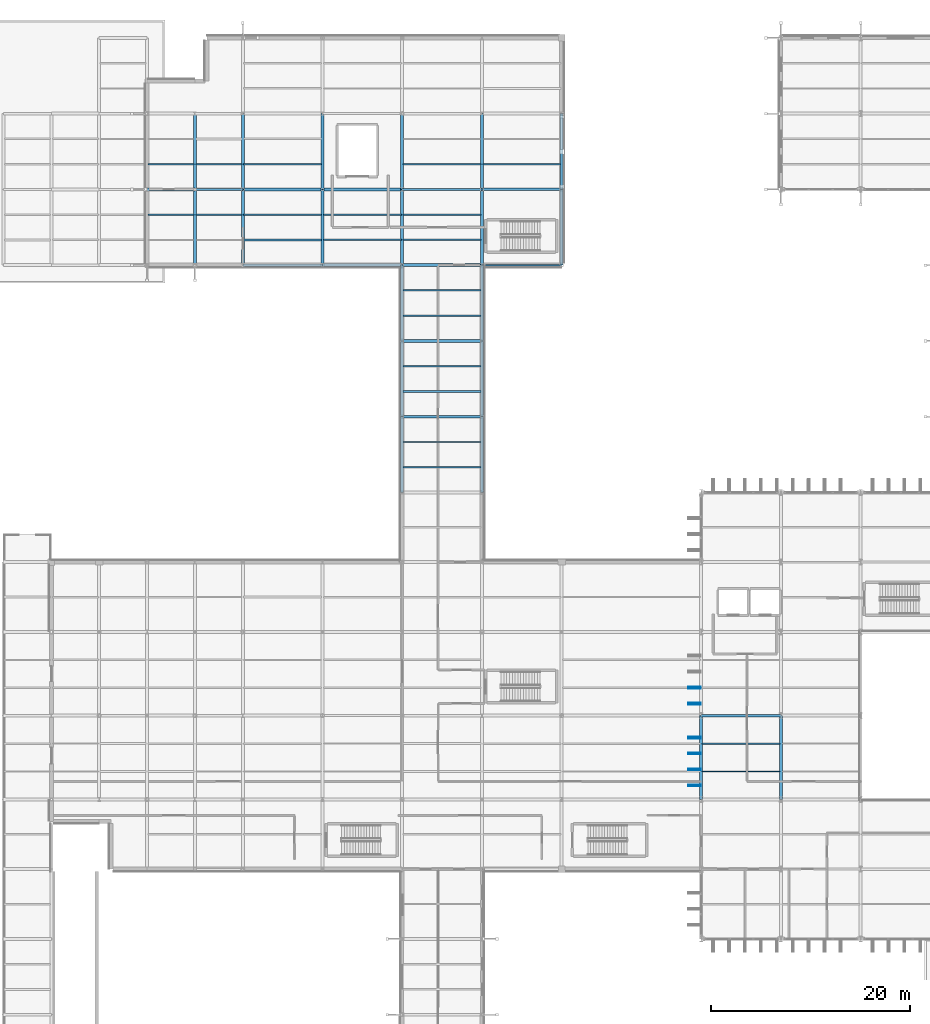
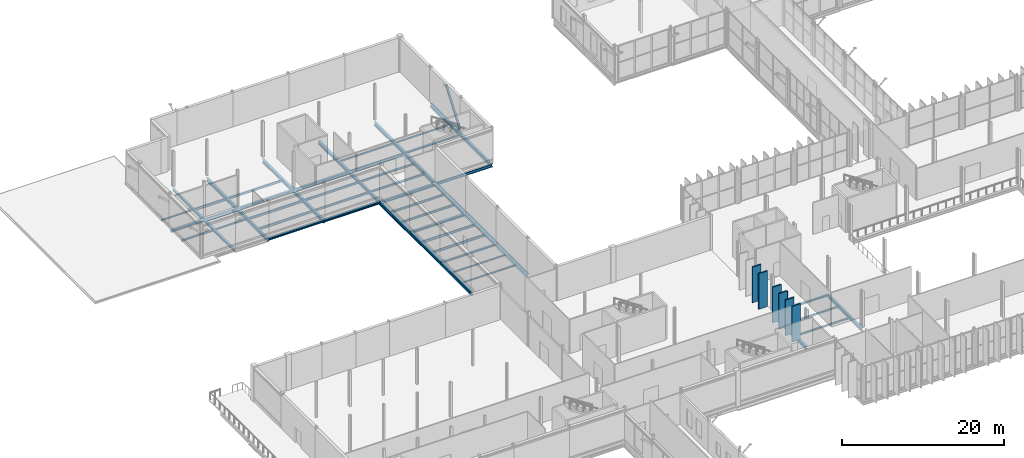
# One storey, part 49 of 147: 54 beams, 7 members.
"""IFC4 building model written with IfcOpenShell, lengths in metres."""

from ifc_helpers import new_model, si_unit, direction, frame, origin, origin_2d, place, context, subcontext, project, spatial, hollow_rectangle, i_section, extrude, material, material_profile, profile_set, type_object, element, save


model = new_model("IFC4")

# Units and contexts
model_context = context("Model", 3, precision=1e-05, world=origin(), true_north=direction((0.0, 1.0)))
body_context = subcontext(model_context, "Body", "Model", "MODEL_VIEW")
ifc_project = project(units=[si_unit("LENGTHUNIT", "METRE"), si_unit("AREAUNIT", "SQUARE_METRE"), si_unit("VOLUMEUNIT", "CUBIC_METRE"), si_unit("PLANEANGLEUNIT", "RADIAN"), si_unit("MASSUNIT", "GRAM", prefix="KILO")], contexts=[model_context])

# Site, building, storey
site_placement = place(None, origin())
site = spatial("IfcSite", under=ifc_project, at=site_placement, CompositionType="ELEMENT")
building_placement = place(site_placement, origin())
building = spatial("IfcBuilding", under=site, at=building_placement, Name="Vekula Escarpment Museum", CompositionType="ELEMENT")
storey_placement = place(building_placement, frame((0.0, 0.0, 7.800048828125)))
storey = spatial("IfcBuildingStorey", under=building, at=storey_placement, Name="L02", CompositionType="ELEMENT", Elevation=7.800048828125)

# Beams
ifc_material_1 = material(Name="Steel S355", Category="steel")
ifc_material_profile_1 = material_profile(ifc_material_1, i_section(OverallWidth=0.280029296875, OverallDepth=0.280029296875, WebThickness=0.010498046875, FlangeThickness=0.01806640625, FilletRadius=0.02392578125, at=origin_2d()), Name="HEB 280")
ifc_profile_set_1 = profile_set([ifc_material_profile_1], Name="Steel S355")
beam_type_1 = type_object("IfcBeamType", Name="BM-GIRD-HEB280", PredefinedType="BEAM", material=ifc_profile_set_1)
beam_1_placement = place(storey_placement, frame((24.0, 113.199951171875, -0.4599609375), z_axis=(1.0, 0.0, 0.0), x_axis=(0.0, 1.0, 0.0)))
element("IfcBeam", 1, at=beam_1_placement, inside=storey, type_object=beam_type_1, Name="Beam X L02 0972", PredefinedType="BEAM", context=body_context, shape_type="SweptSolid", body=[
    extrude(i_section(OverallWidth=0.280029296875, OverallDepth=0.280029296875, WebThickness=0.010498046875, FlangeThickness=0.01806640625, FilletRadius=0.02392578125, at=origin_2d()), origin(), (0.0, 0.0, 1.0), 8.0),
])
ifc_material_2 = material(Name="Steel S355", Category="steel")
ifc_material_profile_2 = material_profile(ifc_material_2, i_section(OverallWidth=0.300048828125, OverallDepth=0.320068359375, WebThickness=0.011474609375, FlangeThickness=0.0205078125, FilletRadius=0.027099609375, at=origin_2d()), Name="HEB 320")
ifc_profile_set_2 = profile_set([ifc_material_profile_2], Name="Steel S355")
beam_type_2 = type_object("IfcBeamType", Name="BM-GIRD-HEB320", PredefinedType="BEAM", material=ifc_profile_set_2)
for number, where, z_axis, x_axis, name in (
    (2, (40.0, 105.60009765625, -0.420166015625), (1.0, 0.0, 0.0), (0.0, 1.0, 0.0), "Beam X L02 0963"),
    (3, (32.0, 113.199951171875, -0.47998046875), (1.0, 0.0, 0.0), (0.0, 1.0, 0.0), "Beam X L02 0973"),
):
    element("IfcBeam", number, at=place(storey_placement, frame(where, z_axis=z_axis, x_axis=x_axis)), inside=storey, type_object=beam_type_2, Name=name, PredefinedType="BEAM", context=body_context, shape_type="SweptSolid", body=[
        extrude(i_section(OverallWidth=0.300048828125, OverallDepth=0.320068359375, WebThickness=0.011474609375, FlangeThickness=0.0205078125, FilletRadius=0.027099609375, at=origin_2d()), origin(), (0.0, 0.0, 1.0), 8.0),
    ])
ifc_material_3 = material(Name="Steel S355", Category="steel")
ifc_material_profile_3 = material_profile(ifc_material_3, i_section(OverallWidth=0.300048828125, OverallDepth=0.360107421875, WebThickness=0.012451171875, FlangeThickness=0.0224609375, FilletRadius=0.027099609375, at=origin_2d()), Name="HEB 360")
ifc_profile_set_3 = profile_set([ifc_material_profile_3], Name="Steel S355")
beam_type_3 = type_object("IfcBeamType", Name="BM-GIRD-HEB360", PredefinedType="BEAM", material=ifc_profile_set_3)
beam_2_placement = place(storey_placement, frame((14.39990234375, 120.800048828125, -0.5), z_axis=(1.0, 0.0, 0.0), x_axis=(0.0, 1.0, 0.0)))
element("IfcBeam", 4, at=beam_2_placement, inside=storey, type_object=beam_type_3, Name="Beam X L02 0982", PredefinedType="BEAM", context=body_context, shape_type="SweptSolid", body=[
    extrude(i_section(OverallWidth=0.300048828125, OverallDepth=0.360107421875, WebThickness=0.012451171875, FlangeThickness=0.0224609375, FilletRadius=0.027099609375, at=origin_2d()), origin(), (0.0, 0.0, 1.0), 4.800048828125),
])
beam_3_placement = place(storey_placement, frame((24.0, 120.800048828125, -0.5), z_axis=(1.0, 0.0, 0.0), x_axis=(0.0, 1.0, 0.0)))
element("IfcBeam", 5, at=beam_3_placement, inside=storey, type_object=beam_type_3, Name="Beam X L02 0984", PredefinedType="BEAM", context=body_context, shape_type="SweptSolid", body=[
    extrude(i_section(OverallWidth=0.300048828125, OverallDepth=0.360107421875, WebThickness=0.012451171875, FlangeThickness=0.0224609375, FilletRadius=0.027099609375, at=origin_2d()), origin(), (0.0, 0.0, 1.0), 8.0),
])
ifc_material_4 = material(Name="Steel S355", Category="steel")
ifc_material_profile_4 = material_profile(ifc_material_4, i_section(OverallWidth=0.300048828125, OverallDepth=0.39990234375, WebThickness=0.013427734375, FlangeThickness=0.02392578125, FilletRadius=0.027099609375, at=origin_2d()), Name="HEB 400")
ifc_profile_set_4 = profile_set([ifc_material_profile_4], Name="Steel S355")
beam_type_4 = type_object("IfcBeamType", Name="BM-GIRD-HEB400", PredefinedType="BEAM", material=ifc_profile_set_4)
beam_4_placement = place(storey_placement, frame((40.0, 113.199951171875, -0.52001953125), z_axis=(1.0, 0.0, 0.0), x_axis=(0.0, 1.0, 0.0)))
element("IfcBeam", 6, at=beam_4_placement, inside=storey, type_object=beam_type_4, Name="Beam X L02 0974", PredefinedType="BEAM", context=body_context, shape_type="SweptSolid", body=[
    extrude(i_section(OverallWidth=0.300048828125, OverallDepth=0.39990234375, WebThickness=0.013427734375, FlangeThickness=0.02392578125, FilletRadius=0.027099609375, at=origin_2d()), origin(), (0.0, 0.0, 1.0), 8.0),
])
ifc_material_5 = material(Name="Steel S355", Category="steel")
ifc_material_profile_5 = material_profile(ifc_material_5, i_section(OverallWidth=0.300048828125, OverallDepth=0.449951171875, WebThickness=0.013916015625, FlangeThickness=0.02587890625, FilletRadius=0.027099609375, at=origin_2d()), Name="HEB 450")
ifc_profile_set_5 = profile_set([ifc_material_profile_5], Name="Steel S355")
beam_type_5 = type_object("IfcBeamType", Name="BM-GIRD-HEB450", PredefinedType="BEAM", material=ifc_profile_set_5)
beam_5_placement = place(storey_placement, frame((32.0, 120.800048828125, -0.545166015625), z_axis=(1.0, 0.0, 0.0), x_axis=(0.0, 1.0, 0.0)))
element("IfcBeam", 7, at=beam_5_placement, inside=storey, type_object=beam_type_5, Name="Beam X L02 0985", PredefinedType="BEAM", context=body_context, shape_type="SweptSolid", body=[
    extrude(i_section(OverallWidth=0.300048828125, OverallDepth=0.449951171875, WebThickness=0.013916015625, FlangeThickness=0.02587890625, FilletRadius=0.027099609375, at=origin_2d()), origin(), (0.0, 0.0, 1.0), 8.0),
])
ifc_material_6 = material(Name="Steel S355", Category="steel")
ifc_material_profile_6 = material_profile(ifc_material_6, i_section(OverallWidth=0.300048828125, OverallDepth=0.5, WebThickness=0.014404296875, FlangeThickness=0.028076171875, FilletRadius=0.027099609375, at=origin_2d()), Name="HEB 500")
ifc_profile_set_6 = profile_set([ifc_material_profile_6], Name="Steel S355")
beam_type_6 = type_object("IfcBeamType", Name="BM-GIRD-HEB500", PredefinedType="BEAM", material=ifc_profile_set_6)
beam_6_placement = place(storey_placement, frame((24.0, 113.199951171875, -0.570068359375), z_axis=(0.0, 1.0, 0.0), x_axis=(-1.0, 0.0, 0.0)))
element("IfcBeam", 8, at=beam_6_placement, inside=storey, type_object=beam_type_6, Name="Beam Y L02 1066", PredefinedType="BEAM", context=body_context, shape_type="SweptSolid", body=[
    extrude(i_section(OverallWidth=0.300048828125, OverallDepth=0.5, WebThickness=0.014404296875, FlangeThickness=0.028076171875, FilletRadius=0.027099609375, at=origin_2d()), origin(), (0.0, 0.0, 1.0), 7.60009765625),
])
beam_7_placement = place(storey_placement, frame((24.0, 120.800048828125, -0.570068359375), z_axis=(0.0, 1.0, 0.0), x_axis=(-1.0, 0.0, 0.0)))
element("IfcBeam", 9, at=beam_7_placement, inside=storey, type_object=beam_type_6, Name="Beam Y L02 1067", PredefinedType="BEAM", context=body_context, shape_type="SweptSolid", body=[
    extrude(i_section(OverallWidth=0.300048828125, OverallDepth=0.5, WebThickness=0.014404296875, FlangeThickness=0.028076171875, FilletRadius=0.027099609375, at=origin_2d()), origin(), (0.0, 0.0, 1.0), 7.599853515625),
])
beam_8_placement = place(storey_placement, frame((32.0, 113.199951171875, -0.570068359375), z_axis=(0.0, 1.0, 0.0), x_axis=(-1.0, 0.0, 0.0)))
element("IfcBeam", 10, at=beam_8_placement, inside=storey, type_object=beam_type_6, Name="Beam Y L02 1076", PredefinedType="BEAM", context=body_context, shape_type="SweptSolid", body=[
    extrude(i_section(OverallWidth=0.300048828125, OverallDepth=0.5, WebThickness=0.014404296875, FlangeThickness=0.028076171875, FilletRadius=0.027099609375, at=origin_2d()), origin(), (0.0, 0.0, 1.0), 7.60009765625),
])
beam_9_placement = place(storey_placement, frame((32.0, 120.800048828125, -0.570068359375), z_axis=(0.0, 1.0, 0.0), x_axis=(-1.0, 0.0, 0.0)))
element("IfcBeam", 11, at=beam_9_placement, inside=storey, type_object=beam_type_6, Name="Beam Y L02 1077", PredefinedType="BEAM", context=body_context, shape_type="SweptSolid", body=[
    extrude(i_section(OverallWidth=0.300048828125, OverallDepth=0.5, WebThickness=0.014404296875, FlangeThickness=0.028076171875, FilletRadius=0.027099609375, at=origin_2d()), origin(), (0.0, 0.0, 1.0), 7.599853515625),
])
for number, where, z_axis, x_axis, name in (
    (12, (40.0, 90.39990234375, -0.510009765625), (0.0, 1.0, 0.0), (-1.0, 0.0, 0.0), "Beam Y L02 1091"),
    (13, (40.0, 98.0, -0.510009765625), (0.0, 1.0, 0.0), (-1.0, 0.0, 0.0), "Beam Y L02 1092"),
):
    element("IfcBeam", number, at=place(storey_placement, frame(where, z_axis=z_axis, x_axis=x_axis)), inside=storey, type_object=beam_type_6, Name=name, PredefinedType="BEAM", context=body_context, shape_type="SweptSolid", body=[
        extrude(i_section(OverallWidth=0.300048828125, OverallDepth=0.5, WebThickness=0.014404296875, FlangeThickness=0.028076171875, FilletRadius=0.027099609375, at=origin_2d()), origin(), (0.0, 0.0, 1.0), 7.60009765625),
    ])
beam_10_placement = place(storey_placement, frame((40.0, 105.60009765625, -0.570068359375), z_axis=(0.0, 1.0, 0.0), x_axis=(-1.0, 0.0, 0.0)))
element("IfcBeam", 14, at=beam_10_placement, inside=storey, type_object=beam_type_6, Name="Beam Y L02 1093", PredefinedType="BEAM", context=body_context, shape_type="SweptSolid", body=[
    extrude(i_section(OverallWidth=0.300048828125, OverallDepth=0.5, WebThickness=0.014404296875, FlangeThickness=0.028076171875, FilletRadius=0.027099609375, at=origin_2d()), origin(), (0.0, 0.0, 1.0), 7.599853515625),
])
beam_11_placement = place(storey_placement, frame((40.0, 113.199951171875, -0.570068359375), z_axis=(0.0, 1.0, 0.0), x_axis=(-1.0, 0.0, 0.0)))
element("IfcBeam", 15, at=beam_11_placement, inside=storey, type_object=beam_type_6, Name="Beam Y L02 1094", PredefinedType="BEAM", context=body_context, shape_type="SweptSolid", body=[
    extrude(i_section(OverallWidth=0.300048828125, OverallDepth=0.5, WebThickness=0.014404296875, FlangeThickness=0.028076171875, FilletRadius=0.027099609375, at=origin_2d()), origin(), (0.0, 0.0, 1.0), 7.60009765625),
])
beam_12_placement = place(storey_placement, frame((40.0, 120.800048828125, -0.570068359375), z_axis=(0.0, 1.0, 0.0), x_axis=(-1.0, 0.0, 0.0)))
element("IfcBeam", 16, at=beam_12_placement, inside=storey, type_object=beam_type_6, Name="Beam Y L02 1095", PredefinedType="BEAM", context=body_context, shape_type="SweptSolid", body=[
    extrude(i_section(OverallWidth=0.300048828125, OverallDepth=0.5, WebThickness=0.014404296875, FlangeThickness=0.028076171875, FilletRadius=0.027099609375, at=origin_2d()), origin(), (0.0, 0.0, 1.0), 7.599853515625),
])
for number, where, z_axis, x_axis, name in (
    (17, (48.0, 90.39990234375, -0.510009765625), (0.0, 1.0, 0.0), (-1.0, 0.0, 0.0), "Beam Y L02 1109"),
    (18, (48.0, 98.0, -0.510009765625), (0.0, 1.0, 0.0), (-1.0, 0.0, 0.0), "Beam Y L02 1110"),
):
    element("IfcBeam", number, at=place(storey_placement, frame(where, z_axis=z_axis, x_axis=x_axis)), inside=storey, type_object=beam_type_6, Name=name, PredefinedType="BEAM", context=body_context, shape_type="SweptSolid", body=[
        extrude(i_section(OverallWidth=0.300048828125, OverallDepth=0.5, WebThickness=0.014404296875, FlangeThickness=0.028076171875, FilletRadius=0.027099609375, at=origin_2d()), origin(), (0.0, 0.0, 1.0), 7.60009765625),
    ])
beam_13_placement = place(storey_placement, frame((48.0, 105.60009765625, -0.570068359375), z_axis=(0.0, 1.0, 0.0), x_axis=(-1.0, 0.0, 0.0)))
element("IfcBeam", 19, at=beam_13_placement, inside=storey, type_object=beam_type_6, Name="Beam Y L02 1111", PredefinedType="BEAM", context=body_context, shape_type="SweptSolid", body=[
    extrude(i_section(OverallWidth=0.300048828125, OverallDepth=0.5, WebThickness=0.014404296875, FlangeThickness=0.028076171875, FilletRadius=0.027099609375, at=origin_2d()), origin(), (0.0, 0.0, 1.0), 7.599853515625),
])
beam_14_placement = place(storey_placement, frame((48.0, 113.199951171875, -0.570068359375), z_axis=(0.0, 1.0, 0.0), x_axis=(-1.0, 0.0, 0.0)))
element("IfcBeam", 20, at=beam_14_placement, inside=storey, type_object=beam_type_6, Name="Beam Y L02 1112", PredefinedType="BEAM", context=body_context, shape_type="SweptSolid", body=[
    extrude(i_section(OverallWidth=0.300048828125, OverallDepth=0.5, WebThickness=0.014404296875, FlangeThickness=0.028076171875, FilletRadius=0.027099609375, at=origin_2d()), origin(), (0.0, 0.0, 1.0), 7.60009765625),
])
beam_15_placement = place(storey_placement, frame((48.0, 120.800048828125, -0.570068359375), z_axis=(0.0, 1.0, 0.0), x_axis=(-1.0, 0.0, 0.0)))
element("IfcBeam", 21, at=beam_15_placement, inside=storey, type_object=beam_type_6, Name="Beam Y L02 1113", PredefinedType="BEAM", context=body_context, shape_type="SweptSolid", body=[
    extrude(i_section(OverallWidth=0.300048828125, OverallDepth=0.5, WebThickness=0.014404296875, FlangeThickness=0.028076171875, FilletRadius=0.027099609375, at=origin_2d()), origin(), (0.0, 0.0, 1.0), 7.599853515625),
])
beam_16_placement = place(storey_placement, frame((56.0, 113.199951171875, -0.570068359375), z_axis=(0.0, 1.0, 0.0), x_axis=(-1.0, 0.0, 0.0)))
element("IfcBeam", 22, at=beam_16_placement, inside=storey, type_object=beam_type_6, Name="Beam Y L02 1122", PredefinedType="BEAM", context=body_context, shape_type="SweptSolid", body=[
    extrude(i_section(OverallWidth=0.300048828125, OverallDepth=0.5, WebThickness=0.014404296875, FlangeThickness=0.028076171875, FilletRadius=0.027099609375, at=origin_2d()), origin(), (0.0, 0.0, 1.0), 7.60009765625),
])
beam_17_placement = place(storey_placement, frame((56.0, 120.800048828125, -0.570068359375), z_axis=(0.0, 1.0, 0.0), x_axis=(-1.0, 0.0, 0.0)))
element("IfcBeam", 23, at=beam_17_placement, inside=storey, type_object=beam_type_6, Name="Beam Y L02 1123", PredefinedType="BEAM", context=body_context, shape_type="SweptSolid", body=[
    extrude(i_section(OverallWidth=0.300048828125, OverallDepth=0.5, WebThickness=0.014404296875, FlangeThickness=0.028076171875, FilletRadius=0.027099609375, at=origin_2d()), origin(), (0.0, 0.0, 1.0), 7.599853515625),
])
beam_18_placement = place(storey_placement, frame((78.0, 59.60009765625, -0.510009765625), z_axis=(0.0, 1.0, 0.0), x_axis=(-1.0, 0.0, 0.0)))
element("IfcBeam", 24, at=beam_18_placement, inside=storey, type_object=beam_type_6, Name="Beam Y L02 1136", PredefinedType="BEAM", context=body_context, shape_type="SweptSolid", body=[
    extrude(i_section(OverallWidth=0.300048828125, OverallDepth=0.5, WebThickness=0.014404296875, FlangeThickness=0.028076171875, FilletRadius=0.027099609375, at=origin_2d()), origin(), (0.0, 0.0, 1.0), 8.39990234375),
])
ifc_material_7 = material(Name="Steel S355", Category="steel")
ifc_material_profile_7 = material_profile(ifc_material_7, i_section(OverallWidth=0.179931640625, OverallDepth=0.39990234375, WebThickness=0.008544921875, FlangeThickness=0.013427734375, FilletRadius=0.02099609375, at=origin_2d()), Name="IPE 400")
ifc_profile_set_7 = profile_set([ifc_material_profile_7], Name="Steel S355")
beam_type_7 = type_object("IfcBeamType", Name="BM-GIRD-IPE400", PredefinedType="BEAM", material=ifc_profile_set_7)
beam_19_placement = place(storey_placement, frame((48.0, 113.199951171875, -0.52001953125), z_axis=(1.0, 0.0, 0.0), x_axis=(0.0, 1.0, 0.0)))
element("IfcBeam", 25, at=beam_19_placement, inside=storey, type_object=beam_type_7, Name="Beam X L02 0975", PredefinedType="BEAM", context=body_context, shape_type="SweptSolid", body=[
    extrude(i_section(OverallWidth=0.179931640625, OverallDepth=0.39990234375, WebThickness=0.008544921875, FlangeThickness=0.013427734375, FilletRadius=0.02099609375, at=origin_2d()), origin(), (0.0, 0.0, 1.0), 8.0),
])
ifc_material_8 = material(Name="Steel S355", Category="steel")
ifc_material_profile_8 = material_profile(ifc_material_8, i_section(OverallWidth=0.18994140625, OverallDepth=0.449951171875, WebThickness=0.009521484375, FlangeThickness=0.0146484375, FilletRadius=0.02099609375, at=origin_2d()), Name="IPE 450")
ifc_profile_set_8 = profile_set([ifc_material_profile_8], Name="Steel S355")
beam_type_8 = type_object("IfcBeamType", Name="BM-GIRD-IPE450", PredefinedType="BEAM", material=ifc_profile_set_8)
beam_20_placement = place(storey_placement, frame((40.0, 120.800048828125, -0.545166015625), z_axis=(1.0, 0.0, 0.0), x_axis=(0.0, 1.0, 0.0)))
element("IfcBeam", 26, at=beam_20_placement, inside=storey, type_object=beam_type_8, Name="Beam X L02 0986", PredefinedType="BEAM", context=body_context, shape_type="SweptSolid", body=[
    extrude(i_section(OverallWidth=0.18994140625, OverallDepth=0.449951171875, WebThickness=0.009521484375, FlangeThickness=0.0146484375, FilletRadius=0.02099609375, at=origin_2d()), origin(), (0.0, 0.0, 1.0), 8.0),
])
ifc_material_9 = material(Name="Steel S355", Category="steel")
ifc_material_profile_9 = material_profile(ifc_material_9, i_section(OverallWidth=0.199951171875, OverallDepth=0.5, WebThickness=0.01025390625, FlangeThickness=0.01611328125, FilletRadius=0.02099609375, at=origin_2d()), Name="IPE 500")
ifc_profile_set_9 = profile_set([ifc_material_profile_9], Name="Steel S355")
beam_type_9 = type_object("IfcBeamType", Name="BM-GIRD-IPE500", PredefinedType="BEAM", material=ifc_profile_set_9)
beam_21_placement = place(storey_placement, frame((19.199951171875, 120.800048828125, -0.570068359375), z_axis=(1.0, 0.0, 0.0), x_axis=(0.0, 1.0, 0.0)))
element("IfcBeam", 27, at=beam_21_placement, inside=storey, type_object=beam_type_9, Name="Beam X L02 0983", PredefinedType="BEAM", context=body_context, shape_type="SweptSolid", body=[
    extrude(i_section(OverallWidth=0.199951171875, OverallDepth=0.5, WebThickness=0.01025390625, FlangeThickness=0.01611328125, FilletRadius=0.02099609375, at=origin_2d()), origin(), (0.0, 0.0, 1.0), 4.800048828125),
])
ifc_material_10 = material(Name="Steel S355", Category="steel")
ifc_material_profile_10 = material_profile(ifc_material_10, i_section(OverallWidth=0.1201171875, OverallDepth=0.239990234375, WebThickness=0.006103515625, FlangeThickness=0.009765625, FilletRadius=0.014892578125, at=origin_2d()), Name="IPE 240")
ifc_profile_set_10 = profile_set([ifc_material_profile_10], Name="Steel S355")
beam_type_10 = type_object("IfcBeamType", Name="BM-JST-IPE240", PredefinedType="JOIST", material=ifc_profile_set_10)
beam_22_placement = place(storey_placement, frame((14.489990234375, 123.333251953125, -0.43994140625), z_axis=(1.0, 0.0, 0.0), x_axis=(0.0, 1.0, 0.0)))
element("IfcBeam", 28, at=beam_22_placement, inside=storey, type_object=beam_type_10, Name="Secondary Joist L02 0640", PredefinedType="JOIST", context=body_context, shape_type="SweptSolid", body=[
    extrude(i_section(OverallWidth=0.1201171875, OverallDepth=0.239990234375, WebThickness=0.006103515625, FlangeThickness=0.009765625, FilletRadius=0.014892578125, at=origin_2d()), origin(), (0.0, 0.0, 1.0), 4.6201171875),
])
beam_23_placement = place(storey_placement, frame((19.2900390625, 118.2666015625, -0.43994140625), z_axis=(1.0, 0.0, 0.0), x_axis=(0.0, 1.0, 0.0)))
element("IfcBeam", 29, at=beam_23_placement, inside=storey, type_object=beam_type_10, Name="Secondary Joist L02 0649", PredefinedType="JOIST", context=body_context, shape_type="SweptSolid", body=[
    extrude(i_section(OverallWidth=0.1201171875, OverallDepth=0.239990234375, WebThickness=0.006103515625, FlangeThickness=0.009765625, FilletRadius=0.014892578125, at=origin_2d()), origin(), (0.0, 0.0, 1.0), 4.619873046875),
])
for number, where, z_axis, x_axis, name in (
    (30, (40.090087890625, 92.933349609375, -0.380126953125), (1.0, 0.0, 0.0), (0.0, 1.0, 0.0), "Secondary Joist L02 0703"),
    (31, (40.090087890625, 95.466796875, -0.380126953125), (1.0, 0.0, 0.0), (0.0, 1.0, 0.0), "Secondary Joist L02 0704"),
    (32, (48.090087890625, 123.333251953125, -0.43994140625), (1.0, 0.0, 0.0), (0.0, 1.0, 0.0), "Secondary Joist L02 0723"),
):
    element("IfcBeam", number, at=place(storey_placement, frame(where, z_axis=z_axis, x_axis=x_axis)), inside=storey, type_object=beam_type_10, Name=name, PredefinedType="JOIST", context=body_context, shape_type="SweptSolid", body=[
        extrude(i_section(OverallWidth=0.1201171875, OverallDepth=0.239990234375, WebThickness=0.006103515625, FlangeThickness=0.009765625, FilletRadius=0.014892578125, at=origin_2d()), origin(), (0.0, 0.0, 1.0), 7.81982421875),
    ])
ifc_material_11 = material(Name="Steel S355", Category="steel")
ifc_material_profile_11 = material_profile(ifc_material_11, i_section(OverallWidth=0.135009765625, OverallDepth=0.27001953125, WebThickness=0.006591796875, FlangeThickness=0.01025390625, FilletRadius=0.014892578125, at=origin_2d()), Name="IPE 270")
ifc_profile_set_11 = profile_set([ifc_material_profile_11], Name="Steel S355")
beam_type_11 = type_object("IfcBeamType", Name="BM-JST-IPE270", PredefinedType="JOIST", material=ifc_profile_set_11)
beam_24_placement = place(storey_placement, frame((14.489990234375, 118.2666015625, -0.455078125), z_axis=(1.0, 0.0, 0.0), x_axis=(0.0, 1.0, 0.0)))
element("IfcBeam", 33, at=beam_24_placement, inside=storey, type_object=beam_type_11, Name="Secondary Joist L02 0639", PredefinedType="JOIST", context=body_context, shape_type="SweptSolid", body=[
    extrude(i_section(OverallWidth=0.135009765625, OverallDepth=0.27001953125, WebThickness=0.006591796875, FlangeThickness=0.01025390625, FilletRadius=0.014892578125, at=origin_2d()), origin(), (0.0, 0.0, 1.0), 4.6201171875),
])
for number, where, z_axis, x_axis, name in (
    (34, (40.090087890625, 123.333251953125, -0.455078125), (1.0, 0.0, 0.0), (0.0, 1.0, 0.0), "Secondary Joist L02 0711"),
    (35, (70.090087890625, 62.39990234375, -0.39501953125), (1.0, 0.0, 0.0), (0.0, 1.0, 0.0), "Secondary Joist L02 0734"),
    (36, (70.090087890625, 65.199951171875, -0.39501953125), (1.0, 0.0, 0.0), (0.0, 1.0, 0.0), "Secondary Joist L02 0735"),
):
    element("IfcBeam", number, at=place(storey_placement, frame(where, z_axis=z_axis, x_axis=x_axis)), inside=storey, type_object=beam_type_11, Name=name, PredefinedType="JOIST", context=body_context, shape_type="SweptSolid", body=[
        extrude(i_section(OverallWidth=0.135009765625, OverallDepth=0.27001953125, WebThickness=0.006591796875, FlangeThickness=0.01025390625, FilletRadius=0.014892578125, at=origin_2d()), origin(), (0.0, 0.0, 1.0), 7.81982421875),
    ])
ifc_material_12 = material(Name="Steel S355", Category="steel")
ifc_material_profile_12 = material_profile(ifc_material_12, i_section(OverallWidth=0.14990234375, OverallDepth=0.300048828125, WebThickness=0.007080078125, FlangeThickness=0.0107421875, FilletRadius=0.014892578125, at=origin_2d()), Name="IPE 300")
ifc_profile_set_12 = profile_set([ifc_material_profile_12], Name="Steel S355")
beam_type_12 = type_object("IfcBeamType", Name="BM-JST-IPE300", PredefinedType="JOIST", material=ifc_profile_set_12)
for number, where, z_axis, x_axis, name in (
    (37, (40.090087890625, 115.7333984375, -0.469970703125), (1.0, 0.0, 0.0), (0.0, 1.0, 0.0), "Secondary Joist L02 0709"),
    (38, (40.090087890625, 118.2666015625, -0.469970703125), (1.0, 0.0, 0.0), (0.0, 1.0, 0.0), "Secondary Joist L02 0710"),
):
    element("IfcBeam", number, at=place(storey_placement, frame(where, z_axis=z_axis, x_axis=x_axis)), inside=storey, type_object=beam_type_12, Name=name, PredefinedType="JOIST", context=body_context, shape_type="SweptSolid", body=[
        extrude(i_section(OverallWidth=0.14990234375, OverallDepth=0.300048828125, WebThickness=0.007080078125, FlangeThickness=0.0107421875, FilletRadius=0.014892578125, at=origin_2d()), origin(), (0.0, 0.0, 1.0), 7.81982421875),
    ])
ifc_material_13 = material(Name="Steel S355", Category="steel")
ifc_material_profile_13 = material_profile(ifc_material_13, i_section(OverallWidth=0.159912109375, OverallDepth=0.330078125, WebThickness=0.007568359375, FlangeThickness=0.011474609375, FilletRadius=0.01806640625, at=origin_2d()), Name="IPE 330")
ifc_profile_set_13 = profile_set([ifc_material_profile_13], Name="Steel S355")
beam_type_13 = type_object("IfcBeamType", Name="BM-JST-IPE330", PredefinedType="JOIST", material=ifc_profile_set_13)
for number, where, z_axis, x_axis, name in (
    (39, (24.090087890625, 123.333251953125, -0.485107421875), (1.0, 0.0, 0.0), (0.0, 1.0, 0.0), "Secondary Joist L02 0664"),
    (40, (32.090087890625, 115.7333984375, -0.485107421875), (1.0, 0.0, 0.0), (0.0, 1.0, 0.0), "Secondary Joist L02 0679"),
    (41, (32.090087890625, 118.2666015625, -0.485107421875), (1.0, 0.0, 0.0), (0.0, 1.0, 0.0), "Secondary Joist L02 0680"),
    (42, (40.090087890625, 108.13330078125, -0.485107421875), (1.0, 0.0, 0.0), (0.0, 1.0, 0.0), "Secondary Joist L02 0707"),
    (43, (40.090087890625, 110.666748046875, -0.485107421875), (1.0, 0.0, 0.0), (0.0, 1.0, 0.0), "Secondary Joist L02 0708"),
):
    element("IfcBeam", number, at=place(storey_placement, frame(where, z_axis=z_axis, x_axis=x_axis)), inside=storey, type_object=beam_type_13, Name=name, PredefinedType="JOIST", context=body_context, shape_type="SweptSolid", body=[
        extrude(i_section(OverallWidth=0.159912109375, OverallDepth=0.330078125, WebThickness=0.007568359375, FlangeThickness=0.011474609375, FilletRadius=0.01806640625, at=origin_2d()), origin(), (0.0, 0.0, 1.0), 7.81982421875),
    ])
ifc_material_14 = material(Name="Steel S355", Category="steel")
ifc_material_profile_14 = material_profile(ifc_material_14, i_section(OverallWidth=0.169921875, OverallDepth=0.360107421875, WebThickness=0.008056640625, FlangeThickness=0.0126953125, FilletRadius=0.01806640625, at=origin_2d()), Name="IPE 360")
ifc_profile_set_14 = profile_set([ifc_material_profile_14], Name="Steel S355")
beam_type_14 = type_object("IfcBeamType", Name="BM-JST-IPE360", PredefinedType="JOIST", material=ifc_profile_set_14)
beam_25_placement = place(storey_placement, frame((19.2900390625, 123.333251953125, -0.5), z_axis=(1.0, 0.0, 0.0), x_axis=(0.0, 1.0, 0.0)))
element("IfcBeam", 44, at=beam_25_placement, inside=storey, type_object=beam_type_14, Name="Secondary Joist L02 0650", PredefinedType="JOIST", context=body_context, shape_type="SweptSolid", body=[
    extrude(i_section(OverallWidth=0.169921875, OverallDepth=0.360107421875, WebThickness=0.008056640625, FlangeThickness=0.0126953125, FilletRadius=0.01806640625, at=origin_2d()), origin(), (0.0, 0.0, 1.0), 4.619873046875),
])
for number, where, z_axis, x_axis, name in (
    (45, (24.090087890625, 115.7333984375, -0.5), (1.0, 0.0, 0.0), (0.0, 1.0, 0.0), "Secondary Joist L02 0662"),
    (46, (24.090087890625, 118.2666015625, -0.5), (1.0, 0.0, 0.0), (0.0, 1.0, 0.0), "Secondary Joist L02 0663"),
    (47, (40.090087890625, 100.533203125, -0.43994140625), (1.0, 0.0, 0.0), (0.0, 1.0, 0.0), "Secondary Joist L02 0705"),
    (48, (40.090087890625, 103.066650390625, -0.43994140625), (1.0, 0.0, 0.0), (0.0, 1.0, 0.0), "Secondary Joist L02 0706"),
):
    element("IfcBeam", number, at=place(storey_placement, frame(where, z_axis=z_axis, x_axis=x_axis)), inside=storey, type_object=beam_type_14, Name=name, PredefinedType="JOIST", context=body_context, shape_type="SweptSolid", body=[
        extrude(i_section(OverallWidth=0.169921875, OverallDepth=0.360107421875, WebThickness=0.008056640625, FlangeThickness=0.0126953125, FilletRadius=0.01806640625, at=origin_2d()), origin(), (0.0, 0.0, 1.0), 7.81982421875),
    ])
ifc_material_15 = material(Name="Steel S355", Category="steel")
ifc_material_profile_15 = material_profile(ifc_material_15, i_section(OverallWidth=0.239990234375, OverallDepth=0.22998046875, WebThickness=0.007568359375, FlangeThickness=0.011962890625, FilletRadius=0.02099609375, at=origin_2d()), Name="HEA 240")
ifc_profile_set_15 = profile_set([ifc_material_profile_15], Name="Steel S355")
beam_type_15 = type_object("IfcBeamType", Name="BM-SPAN-HEA240", PredefinedType="SPANDREL", material=ifc_profile_set_15)
for number, where, z_axis, x_axis, name in (
    (49, (70.0, 68.0, -0.375), (1.0, 0.0, 0.0), (0.0, 1.0, 0.0), "Beam X L02 0897"),
    (50, (40.0, 98.0, -0.375), (1.0, 0.0, 0.0), (0.0, 1.0, 0.0), "Beam X L02 0959"),
    (51, (48.0, 120.800048828125, -0.43505859375), (1.0, 0.0, 0.0), (0.0, 1.0, 0.0), "Beam X L02 0987"),
):
    element("IfcBeam", number, at=place(storey_placement, frame(where, z_axis=z_axis, x_axis=x_axis)), inside=storey, type_object=beam_type_15, Name=name, PredefinedType="SPANDREL", context=body_context, shape_type="SweptSolid", body=[
        extrude(i_section(OverallWidth=0.239990234375, OverallDepth=0.22998046875, WebThickness=0.007568359375, FlangeThickness=0.011962890625, FilletRadius=0.02099609375, at=origin_2d()), origin(), (0.0, 0.0, 1.0), 8.0),
    ])
ifc_material_16 = material(Name="Steel S355", Category="steel")
ifc_material_profile_16 = material_profile(ifc_material_16, i_section(OverallWidth=0.300048828125, OverallDepth=0.2900390625, WebThickness=0.008544921875, FlangeThickness=0.013916015625, FilletRadius=0.027099609375, at=origin_2d()), Name="HEA 300")
ifc_profile_set_16 = profile_set([ifc_material_profile_16], Name="Steel S355")
beam_type_16 = type_object("IfcBeamType", Name="BM-SPAN-HEA300", PredefinedType="SPANDREL", material=ifc_profile_set_16)
beam_26_placement = place(storey_placement, frame((19.199951171875, 113.199951171875, -0.465087890625), z_axis=(0.0, 1.0, 0.0), x_axis=(-1.0, 0.0, 0.0)))
element("IfcBeam", 52, at=beam_26_placement, inside=storey, type_object=beam_type_16, Name="Beam Y L02 1058", PredefinedType="SPANDREL", context=body_context, shape_type="SweptSolid", body=[
    extrude(i_section(OverallWidth=0.300048828125, OverallDepth=0.2900390625, WebThickness=0.008544921875, FlangeThickness=0.013916015625, FilletRadius=0.027099609375, at=origin_2d()), origin(), (0.0, 0.0, 1.0), 7.60009765625),
])
beam_27_placement = place(storey_placement, frame((19.199951171875, 120.800048828125, -0.465087890625), z_axis=(0.0, 1.0, 0.0), x_axis=(-1.0, 0.0, 0.0)))
element("IfcBeam", 53, at=beam_27_placement, inside=storey, type_object=beam_type_16, Name="Beam Y L02 1059", PredefinedType="SPANDREL", context=body_context, shape_type="SweptSolid", body=[
    extrude(i_section(OverallWidth=0.300048828125, OverallDepth=0.2900390625, WebThickness=0.008544921875, FlangeThickness=0.013916015625, FilletRadius=0.027099609375, at=origin_2d()), origin(), (0.0, 0.0, 1.0), 7.599853515625),
])
ifc_material_17 = material(Name="Steel S355", Category="steel")
ifc_material_profile_17 = material_profile(ifc_material_17, i_section(OverallWidth=0.300048828125, OverallDepth=0.43994140625, WebThickness=0.011474609375, FlangeThickness=0.02099609375, FilletRadius=0.027099609375, at=origin_2d()), Name="HEA 450")
ifc_profile_set_17 = profile_set([ifc_material_profile_17], Name="Steel S355")
beam_type_17 = type_object("IfcBeamType", Name="BM-SPAN-HEA450", PredefinedType="SPANDREL", material=ifc_profile_set_17)
beam_28_placement = place(storey_placement, frame((70.0, 59.60009765625, -0.47998046875), z_axis=(0.0, 1.0, 0.0), x_axis=(-1.0, 0.0, 0.0)))
element("IfcBeam", 54, at=beam_28_placement, inside=storey, type_object=beam_type_17, Name="Beam Y L02 1128", PredefinedType="SPANDREL", context=body_context, shape_type="SweptSolid", body=[
    extrude(i_section(OverallWidth=0.300048828125, OverallDepth=0.43994140625, WebThickness=0.011474609375, FlangeThickness=0.02099609375, FilletRadius=0.027099609375, at=origin_2d()), origin(), (0.0, 0.0, 1.0), 8.39990234375),
])

# Members
ifc_material_18 = material(Name="Steel S355", Category="steel")
ifc_material_profile_18 = material_profile(ifc_material_18, hollow_rectangle(XDim=0.260009765625, YDim=0.260009765625, WallThickness=0.012451171875, InnerFilletRadius=0.012451171875, OuterFilletRadius=0.02490234375, at=origin_2d()), Name="SHS 260x260x12.5")
ifc_profile_set_18 = profile_set([ifc_material_profile_18], Name="Steel S355")
member_type_1 = type_object("IfcMemberType", Name="MB-BRACE-SHS260", PredefinedType="BRACE", material=ifc_profile_set_18)
member_placement = place(storey_placement, frame((56.0, 121.050048828125, 0.02001953125), z_axis=(0.0, 0.596234160556, 0.80281057902), x_axis=(-1.0, 0.0, 0.0)))
element("IfcMember", 55, at=member_placement, inside=storey, type_object=member_type_1, Name="Lateral Braced Frame L02-05L", PredefinedType="BRACE", context=body_context, shape_type="SweptSolid", body=[
    extrude(hollow_rectangle(XDim=0.260009765625, YDim=0.260009765625, WallThickness=0.012451171875, InnerFilletRadius=0.012451171875, OuterFilletRadius=0.02490234375, at=origin_2d()), origin(), (0.0, 0.0, 1.0), 5.9541015625),
])
ifc_material_19 = material(Name="Steel S355 weathered bronze solar fin", Category="steel")
ifc_material_profile_19 = material_profile(ifc_material_19, hollow_rectangle(XDim=0.179931640625, YDim=1.25, WallThickness=0.010009765625, InnerFilletRadius=0.010009765625, OuterFilletRadius=0.02001953125, at=origin_2d()), Name="RHS 1250x180x10")
ifc_profile_set_19 = profile_set([ifc_material_profile_19], Name="Steel S355 weathered bronze solar fin")
member_type_2 = type_object("IfcMemberType", Name="MB-SOLAR-FIN", PredefinedType="USERDEFINED", material=ifc_profile_set_19)
for number, where, z_axis, x_axis, name in (
    (56, (69.320068359375, 61.0, 0.0), (0.0, 0.0, 1.0), (0.0, 1.0, 0.0), "Great Hall Vertical Solar Fin 0297"),
    (57, (69.320068359375, 62.60009765625, 0.0), (0.0, 0.0, 1.0), (0.0, 1.0, 0.0), "Great Hall Vertical Solar Fin 0302"),
    (58, (69.320068359375, 64.199951171875, 0.0), (0.0, 0.0, 1.0), (0.0, 1.0, 0.0), "Great Hall Vertical Solar Fin 0307"),
    (59, (69.320068359375, 65.800048828125, 0.0), (0.0, 0.0, 1.0), (0.0, 1.0, 0.0), "Great Hall Vertical Solar Fin 0312"),
    (60, (69.320068359375, 69.199951171875, 0.0), (0.0, 0.0, 1.0), (0.0, 1.0, 0.0), "Great Hall Vertical Solar Fin 0317"),
    (61, (69.320068359375, 70.800048828125, 0.0), (0.0, 0.0, 1.0), (0.0, 1.0, 0.0), "Great Hall Vertical Solar Fin 0322"),
):
    element("IfcMember", number, at=place(storey_placement, frame(where, z_axis=z_axis, x_axis=x_axis)), inside=storey, type_object=member_type_2, Name=name, ObjectType="SOLAR FIN", PredefinedType="USERDEFINED", context=body_context, shape_type="SweptSolid", body=[
        extrude(hollow_rectangle(XDim=0.179931640625, YDim=1.25, WallThickness=0.010009765625, InnerFilletRadius=0.010009765625, OuterFilletRadius=0.02001953125, at=origin_2d()), origin(), (0.0, 0.0, 1.0), 5.39990234375),
    ])

save(model, "model.ifc")
